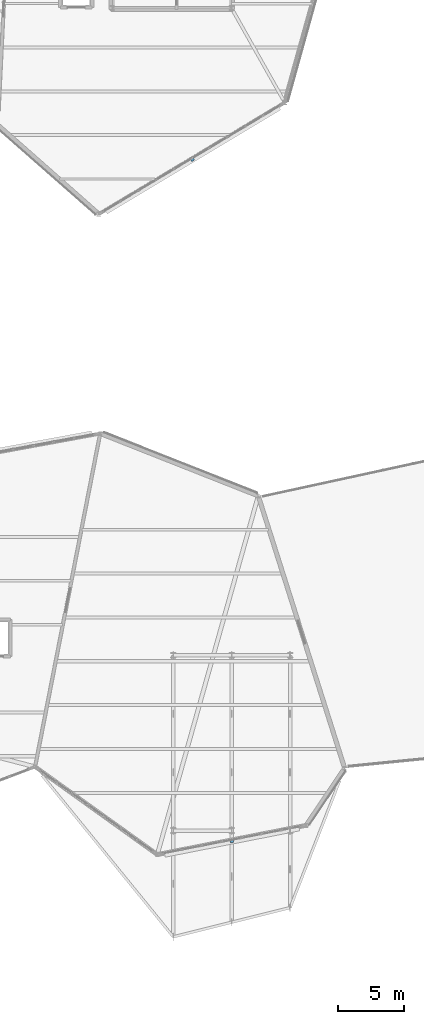
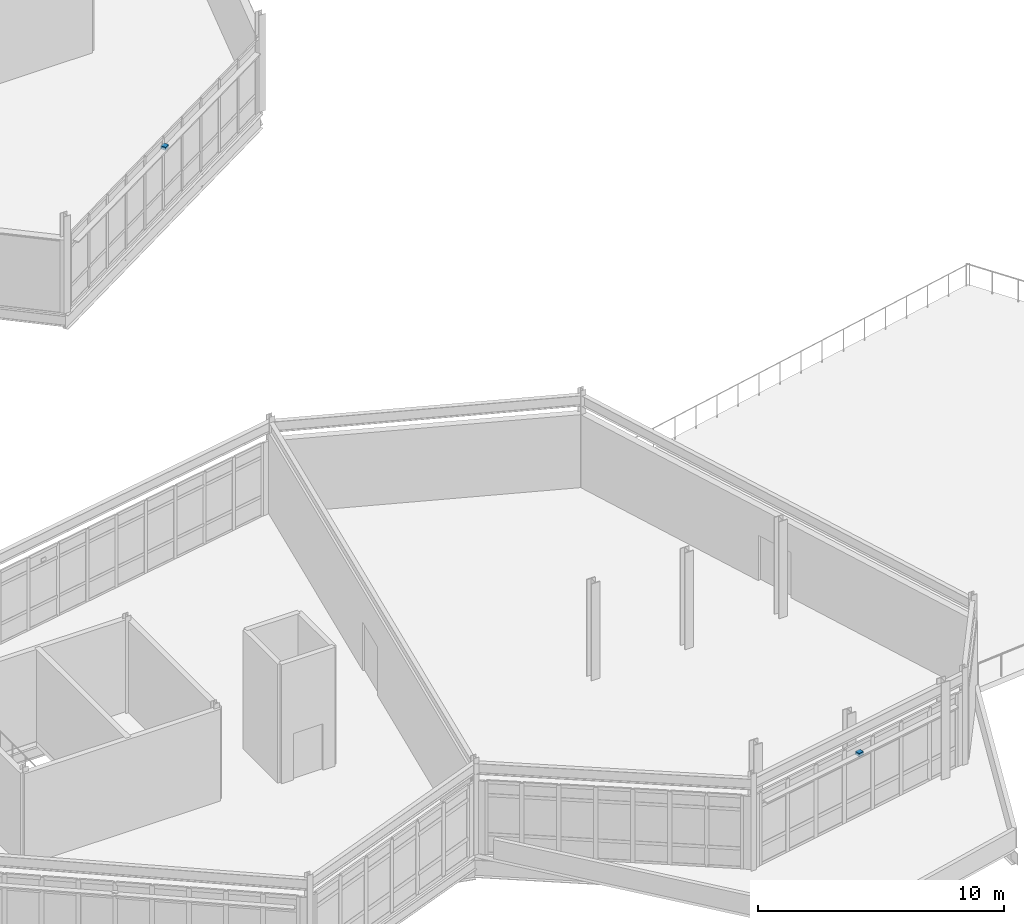
# One storey, part 70 of 76: 2 discrete accessories.
"""IFC4 building model written with IfcOpenShell, lengths in metres."""

from ifc_helpers import new_model, si_unit, direction, frame, origin, origin_2d, place, context, subcontext, project, spatial, rectangle, extrude, material, type_object, element, save


model = new_model("IFC4")

# Units and contexts
model_context = context("Model", 3, precision=1e-05, world=origin(), true_north=direction((0.0, 1.0)))
body_context = subcontext(model_context, "Body", "Model", "MODEL_VIEW")
ifc_project = project(units=[si_unit("LENGTHUNIT", "METRE"), si_unit("AREAUNIT", "SQUARE_METRE"), si_unit("VOLUMEUNIT", "CUBIC_METRE"), si_unit("PLANEANGLEUNIT", "RADIAN"), si_unit("MASSUNIT", "GRAM", prefix="KILO")], contexts=[model_context])

# Site, building, storey
site_placement = place(None, origin())
site = spatial("IfcSite", under=ifc_project, at=site_placement, CompositionType="ELEMENT")
building_placement = place(site_placement, origin())
building = spatial("IfcBuilding", under=site, at=building_placement, Name="Tameran Prism Museum", CompositionType="ELEMENT")
storey_placement = place(building_placement, frame((0.0, 0.0, 15.0)))
storey = spatial("IfcBuildingStorey", under=building, at=storey_placement, Name="L03", CompositionType="ELEMENT", Elevation=15.0)

# Discrete accessories
ifc_material = material(Name="Galvanized Steel Grade 350 (350 MPa)", Category="steel")
discrete_accessory_type = type_object("IfcDiscreteAccessoryType", Name="DA-BRK-STL", PredefinedType="BRACKET", material=ifc_material)
for number, where, z_axis, x_axis, name in (
    (1, (132.541015625, 68.031005859375, 3.08984375), (0.0, 0.0, 1.0), (-0.857526656194, -0.514439533782, 0.0), "Facade Sunshade Bracket BK-056"),
    (2, (135.514892578125, 16.721923828125, 3.08984375), (0.0, 0.0, 1.0), (-0.981259047624, -0.192693231472, 0.0), "Facade Sunshade Bracket BK-065"),
):
    element("IfcDiscreteAccessory", number, at=place(storey_placement, frame(where, z_axis=z_axis, x_axis=x_axis)), inside=storey, type_object=discrete_accessory_type, Name=name, PredefinedType="BRACKET", context=body_context, shape_type="SweptSolid", body=[
        extrude(rectangle(XDim=0.239990234375, YDim=0.239990234375, at=origin_2d()), origin(), (0.0, 0.0, 1.0), 0.159912109375),
    ])

save(model, "model.ifc")
